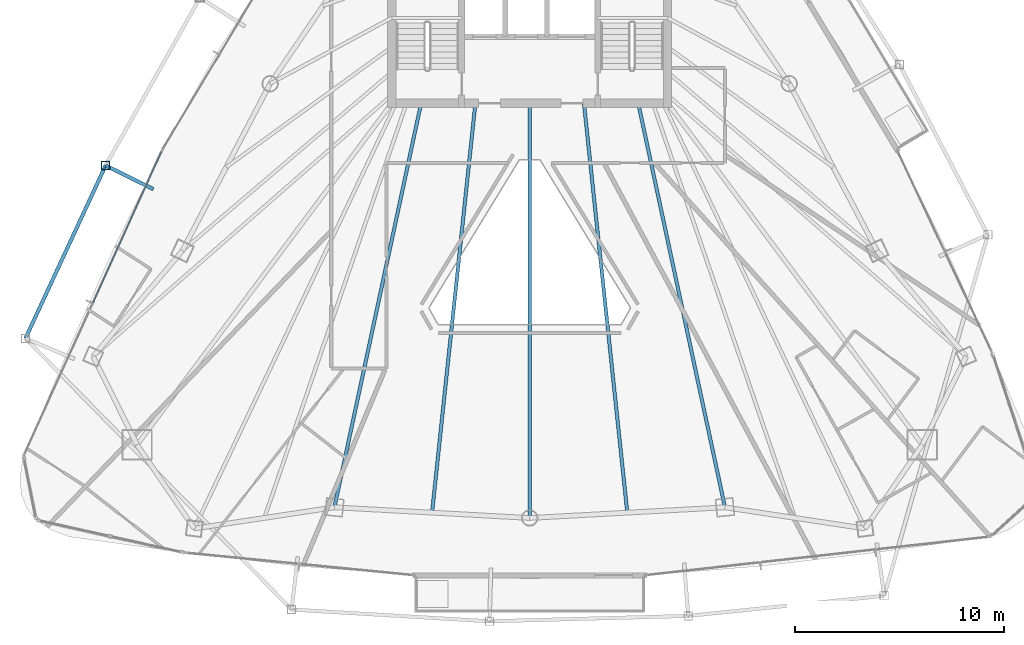
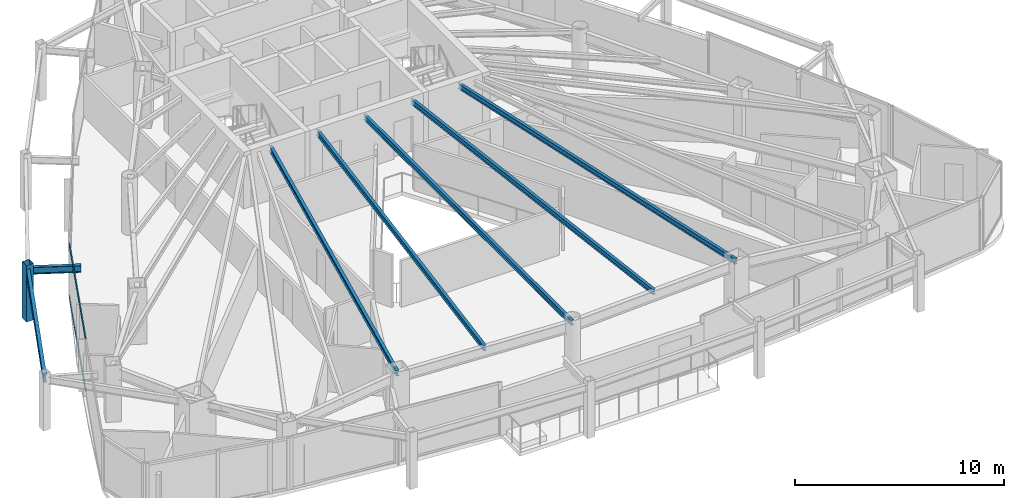
# One storey, part 9 of 30: 7 beams, 3 members, 1 element without a shape of its own.
"""IFC4 building model written with IfcOpenShell, lengths in metres."""

from ifc_helpers import new_model, si_unit, direction, frame, origin, origin_2d, place, context, subcontext, project, spatial, hollow_rectangle, i_section, extrude, material, layer, layer_set, material_profile, profile_set, type_object, element, aggregate, save


model = new_model("IFC4")

# Units and contexts
model_context = context("Model", 3, precision=1e-05, world=origin(), true_north=direction((0.0, 1.0)))
body_context = subcontext(model_context, "Body", "Model", "MODEL_VIEW")
ifc_project = project(units=[si_unit("LENGTHUNIT", "METRE"), si_unit("AREAUNIT", "SQUARE_METRE"), si_unit("VOLUMEUNIT", "CUBIC_METRE"), si_unit("PLANEANGLEUNIT", "RADIAN"), si_unit("MASSUNIT", "GRAM", prefix="KILO")], contexts=[model_context])

# Site, building, storey
site_placement = place(None, origin())
site = spatial("IfcSite", under=ifc_project, at=site_placement, CompositionType="ELEMENT")
building_placement = place(site_placement, origin())
building = spatial("IfcBuilding", under=site, at=building_placement, Name="Orvanel Arch Residences", CompositionType="ELEMENT")
storey_placement = place(building_placement, frame((0.0, 0.0, 180.35009765625)))
storey = spatial("IfcBuildingStorey", under=building, at=storey_placement, Name="L51", CompositionType="ELEMENT", Elevation=180.35009765625)

# Beams
ifc_material_1 = material(Name="Structural steel AS/NZS 3679.1 Grade 300 (300 MPa)", Category="steel")
ifc_material_profile_1 = material_profile(ifc_material_1, i_section(OverallWidth=0.1650390625, OverallDepth=0.303955078125, WebThickness=0.006103515625, FlangeThickness=0.01025390625, at=origin_2d()), Name="310UB40.4")
ifc_profile_set_1 = profile_set([ifc_material_profile_1], Name="Structural steel AS/NZS 3679.1 Grade 300 (300 MPa)")
beam_type_1 = type_object("IfcBeamType", Name="BJ-310UB", PredefinedType="JOIST", material=ifc_profile_set_1)
for number, where, z_axis, x_axis, name in (
    (1, (27.800048828125, 26.699951171875, 2.907958984375), (-0.209808012425, -0.977742603103, 0.0), (0.977742603103, -0.209808012425, 0.0), "L51 SW Wing Floor Joist"),
    (2, (38.199951171875, 26.699951171875, 2.907958984375), (0.209808012425, -0.977742603103, 0.0), (0.977742603103, 0.209808012425, 0.0), "L51 SE Wing Floor Joist"),
):
    element("IfcBeam", number, at=place(storey_placement, frame(where, z_axis=z_axis, x_axis=x_axis)), inside=storey, type_object=beam_type_1, Name=name, PredefinedType="JOIST", context=body_context, shape_type="SweptSolid", body=[
        extrude(i_section(OverallWidth=0.1650390625, OverallDepth=0.303955078125, WebThickness=0.006103515625, FlangeThickness=0.01025390625, at=origin_2d()), origin(), (0.0, 0.0, 1.0), 19.785400390625),
    ])
beam_1_placement = place(storey_placement, frame((33.0, 26.699951171875, 2.907958984375), z_axis=(0.0, -1.0, 0.0), x_axis=(1.0, 0.0, 0.0)))
element("IfcBeam", 3, at=beam_1_placement, inside=storey, type_object=beam_type_1, Name="L51 SSW Wing Floor Joist", PredefinedType="JOIST", context=body_context, shape_type="SweptSolid", body=[
    extrude(i_section(OverallWidth=0.1650390625, OverallDepth=0.303955078125, WebThickness=0.006103515625, FlangeThickness=0.01025390625, at=origin_2d()), origin(), (0.0, 0.0, 1.0), 19.85595703125),
])
for number, where, z_axis, x_axis, name in (
    (4, (30.39990234375, 26.699951171875, 2.907958984375), (-0.105277340935, -0.994442900063, 0.0), (0.994442900063, -0.105277340935, 0.0), "L51 WSW2 Wing Floor Joist"),
    (5, (35.60009765625, 26.699951171875, 2.907958984375), (0.105277340935, -0.994442900063, 0.0), (0.994442900063, 0.105277340935, 0.0), "L51 ESE2 Wing Floor Joist"),
):
    element("IfcBeam", number, at=place(storey_placement, frame(where, z_axis=z_axis, x_axis=x_axis)), inside=storey, type_object=beam_type_1, Name=name, PredefinedType="JOIST", context=body_context, shape_type="SweptSolid", body=[
        extrude(i_section(OverallWidth=0.1650390625, OverallDepth=0.303955078125, WebThickness=0.006103515625, FlangeThickness=0.01025390625, at=origin_2d()), origin(), (0.0, 0.0, 1.0), 19.70947265625),
    ])
ifc_material_profile_2 = material_profile(ifc_material_1, i_section(OverallWidth=0.177978515625, OverallDepth=0.406005859375, WebThickness=0.0078125, FlangeThickness=0.0126953125, at=origin_2d()), Name="410UB59.7")
ifc_profile_set_2 = profile_set([ifc_material_profile_2], Name="Structural steel AS/NZS 3679.1 Grade 300 (300 MPa)")
beam_type_2 = type_object("IfcBeamType", Name="OB-410UB-EXT", PredefinedType="SPANDREL", material=ifc_profile_set_2)
beam_2_placement = place(storey_placement, frame((14.97705078125, 22.592041015625, 2.85693359375), z_axis=(-0.89641034087, 0.443225112986, 0.0), x_axis=(-0.443225112986, -0.89641034087, 0.0)))
element("IfcBeam", 6, at=beam_2_placement, inside=storey, type_object=beam_type_2, Name="L51 Outer Frame Radial Tie Beam 03", PredefinedType="SPANDREL", context=body_context, shape_type="SweptSolid", body=[
    extrude(i_section(OverallWidth=0.177978515625, OverallDepth=0.406005859375, WebThickness=0.0078125, FlangeThickness=0.0126953125, at=origin_2d()), origin(), (0.0, 0.0, 1.0), 2.54931640625),
])
beam_3_placement = place(storey_placement, frame((12.69189453125, 23.721923828125, 2.85693359375), z_axis=(-0.420666248927, -0.907215468901, 0.0), x_axis=(0.907215468901, -0.420666248927, 0.0)))
element("IfcBeam", 7, at=beam_3_placement, inside=storey, type_object=beam_type_2, Name="L51 Outer Perimeter Floor Ring Beam 03", PredefinedType="SPANDREL", context=body_context, shape_type="SweptSolid", body=[
    extrude(i_section(OverallWidth=0.177978515625, OverallDepth=0.406005859375, WebThickness=0.0078125, FlangeThickness=0.0126953125, at=origin_2d()), origin(), (0.0, 0.0, 1.0), 9.123291015625),
])

# Member
ifc_material_2 = material(Name="Structural steel AS/NZS 1163 C450L0 (Grade 450)", Category="steel")
ifc_material_profile_3 = material_profile(ifc_material_2, hollow_rectangle(XDim=0.39990234375, YDim=0.39990234375, WallThickness=0.01611328125, at=origin_2d()), Name="SHS400x400x16")
ifc_profile_set_3 = profile_set([ifc_material_profile_3], Name="Structural steel AS/NZS 1163 C450L0 (Grade 450)")
member_type_1 = type_object("IfcMemberType", Name="ST-400SHS-EXT", PredefinedType="STRUT", material=ifc_profile_set_3)
member_1_placement = place(storey_placement, frame((12.69189453125, 23.721923828125, 0.0), z_axis=(0.0, 0.0, 1.0), x_axis=(1.0, 0.0, 0.0)))
element("IfcMember", 8, at=member_1_placement, inside=storey, type_object=member_type_1, Name="L51 Outer Perimeter Frame Post 03", PredefinedType="STRUT", context=body_context, shape_type="SweptSolid", body=[
    extrude(hollow_rectangle(XDim=0.39990234375, YDim=0.39990234375, WallThickness=0.01611328125, at=origin_2d()), origin(), (0.0, 0.0, 1.0), 3.2998046875),
])

# Curtain wall, members
ifc_material_3 = material(Name="Bronze-anodised aluminium AA6063-T6", Category="aluminium")
ifc_layer = layer(ifc_material_3, 0.179931640625)
ifc_layer_set = layer_set([ifc_layer], Name="Bronze-anodised aluminium AA6063-T6")
curtain_wall_type = type_object("IfcCurtainWallType", Name="CW3-MID-SYS", PredefinedType="NOTDEFINED", material=ifc_layer_set)
curtain_wall_placement = place(storey_placement, origin())
curtain_wall = element("IfcCurtainWall", 9, at=curtain_wall_placement, inside=storey, type_object=curtain_wall_type, Name="L51 CW3-MID-SYS Unitised Curtain Wall", PredefinedType="NOTDEFINED")
ifc_material_profile_4 = material_profile(ifc_material_3, hollow_rectangle(XDim=0.06005859375, YDim=0.135009765625, WallThickness=0.00390625, at=origin_2d()), Name="ALU135x60x4")
ifc_profile_set_4 = profile_set([ifc_material_profile_4], Name="Bronze-anodised aluminium AA6063-T6")
member_type_2 = type_object("IfcMemberType", Name="TRN-135x60", PredefinedType="USERDEFINED", material=ifc_profile_set_4)
member_2_placement = place(storey_placement, frame((15.361083984375, 24.375244140625, 0.02978515625), z_axis=(-0.412521061717, -0.910948063086, 0.0), x_axis=(0.910948063086, -0.412521061717, 0.0)))
member_2 = element("IfcMember", 10, at=member_2_placement, type_object=member_type_2, Name="CW-S3 transom 1.1", ObjectType="TRANSOM", PredefinedType="USERDEFINED", context=body_context, shape_type="SweptSolid", body=[
    extrude(hollow_rectangle(XDim=0.06005859375, YDim=0.135009765625, WallThickness=0.00390625, at=origin_2d()), origin(), (0.0, 0.0, 1.0), 7.92333984375),
])
member_3_placement = place(storey_placement, frame((15.361083984375, 24.375244140625, 3.02978515625), z_axis=(-0.412521061717, -0.910948063086, 0.0), x_axis=(0.910948063086, -0.412521061717, 0.0)))
member_3 = element("IfcMember", 11, at=member_3_placement, type_object=member_type_2, Name="CW-S3 transom 1.2", ObjectType="TRANSOM", PredefinedType="USERDEFINED", context=body_context, shape_type="SweptSolid", body=[
    extrude(hollow_rectangle(XDim=0.06005859375, YDim=0.135009765625, WallThickness=0.00390625, at=origin_2d()), origin(), (0.0, 0.0, 1.0), 7.92333984375),
])
aggregate(curtain_wall, [member_2, member_3])

save(model, "model.ifc")
